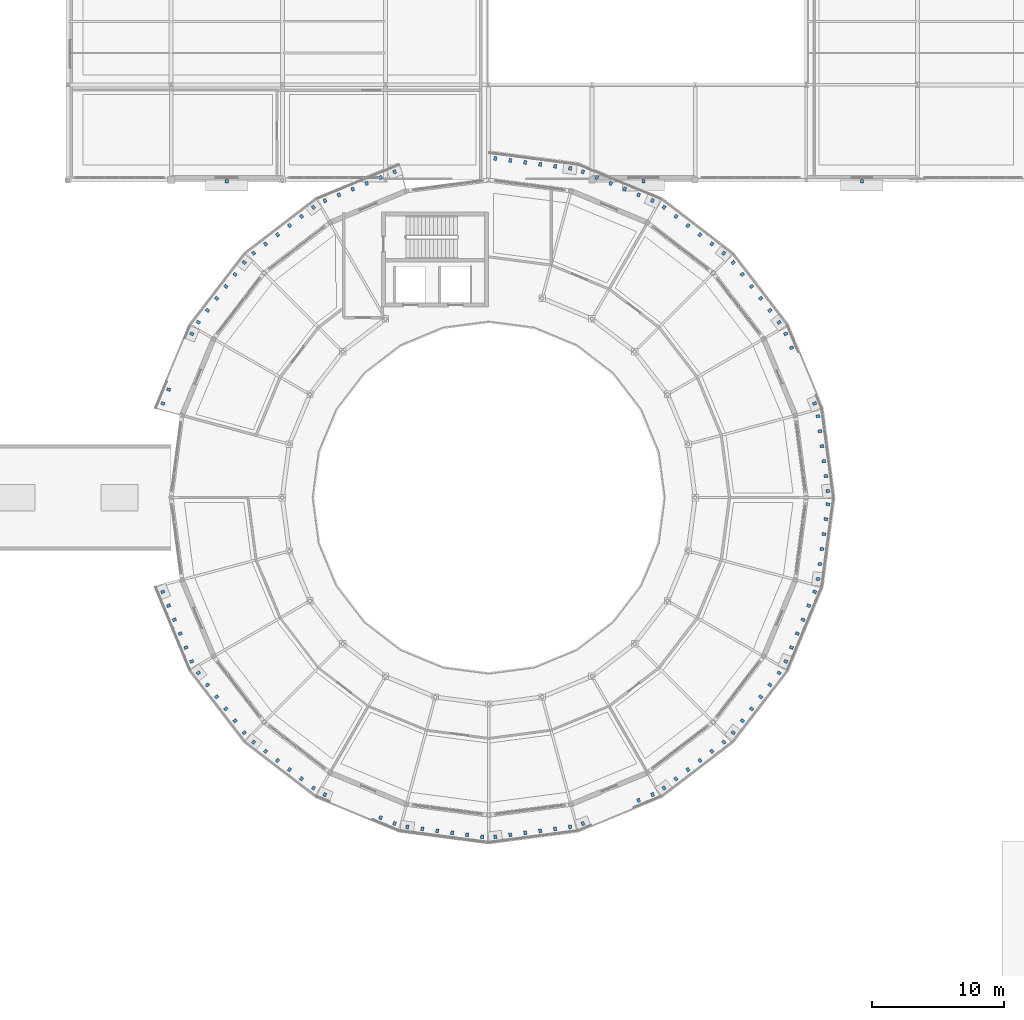
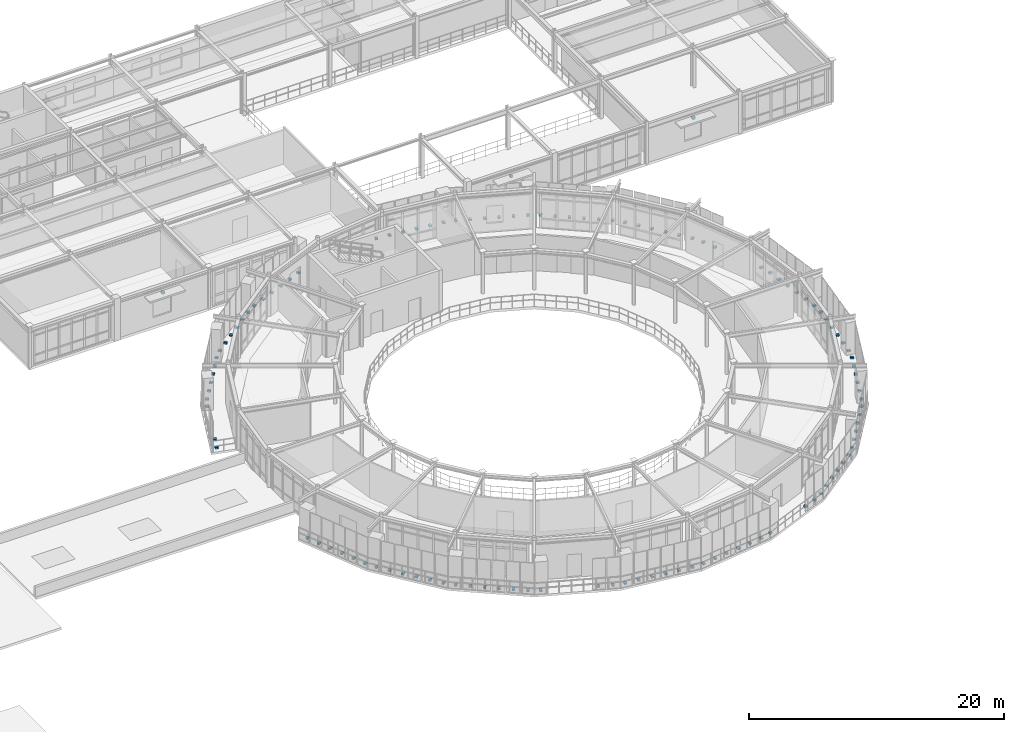
# One storey, part 61 of 70: 117 discrete accessories.
"""IFC4 building model written with IfcOpenShell, lengths in metres."""

from ifc_helpers import new_model, si_unit, derived_unit, direction, frame, origin, origin_2d, place, context, subcontext, project, spatial, rectangle, extrude, material, type_object, element, save


model = new_model("IFC4")

# Units and contexts
model_context = context("Model", 3, precision=1e-05, world=origin(), true_north=direction((0.0, 1.0)))
body_context = subcontext(model_context, "Body", "Model", "MODEL_VIEW")
ifc_project = project(units=[si_unit("LENGTHUNIT", "METRE"), si_unit("AREAUNIT", "SQUARE_METRE"), si_unit("VOLUMEUNIT", "CUBIC_METRE"), si_unit("PLANEANGLEUNIT", "RADIAN"), si_unit("MASSUNIT", "GRAM", prefix="KILO"), derived_unit("THERMALTRANSMITTANCEUNIT", [(si_unit("POWERUNIT", "WATT"), 1), (si_unit("AREAUNIT", "SQUARE_METRE"), -1), (si_unit("THERMODYNAMICTEMPERATUREUNIT", "KELVIN"), -1)])], contexts=[model_context])

# Site, building, storey
site_placement = place(None, origin())
site = spatial("IfcSite", under=ifc_project, at=site_placement, CompositionType="ELEMENT")
building_placement = place(site_placement, origin())
building = spatial("IfcBuilding", under=site, at=building_placement, Name="Yasenodar Specialist Clinic", CompositionType="ELEMENT")
storey_placement = place(building_placement, frame((0.0, 0.0, 13.199951171875)))
storey = spatial("IfcBuildingStorey", under=building, at=storey_placement, Name="L03", CompositionType="ELEMENT", Elevation=13.199951171875)

# Discrete accessories
ifc_material = material(Name="Steel S355", Category="steel")
discrete_accessory_type_1 = type_object("IfcDiscreteAccessoryType", Name="ACC-BRK-CHJ", PredefinedType="BRACKET", material=ifc_material)
for number, where, z_axis, x_axis, name in (
    (1, (109.199951171875, 82.719970703125, 2.828125), (0.0, 0.0, 1.0), (-1.0, 0.0, 0.0), "L03 Sunshade Fixing Bracket 0455"),
    (2, (92.699951171875, 82.719970703125, 3.0380859375), (0.0, 0.0, 1.0), (-1.0, 0.0, 0.0), "L03 Sunshade Fixing Bracket 0456"),
    (3, (61.199951171875, 82.719970703125, 2.92822265625), (0.0, 0.0, 1.0), (-1.0, 0.0, 0.0), "L03 Sunshade Fixing Bracket 0457"),
):
    element("IfcDiscreteAccessory", number, at=place(storey_placement, frame(where, z_axis=z_axis, x_axis=x_axis)), inside=storey, type_object=discrete_accessory_type_1, Name=name, PredefinedType="BRACKET", context=body_context, shape_type="SweptSolid", body=[
        extrude(rectangle(XDim=0.239990234375, YDim=0.260009765625, at=origin_2d()), origin(), (0.0, 0.0, 1.0), 0.199951171875),
    ])
discrete_accessory_type_2 = type_object("IfcDiscreteAccessoryType", Name="ACC-BRK-STEEL", PredefinedType="BRACKET", material=ifc_material)
for number, where, z_axis, x_axis, name in (
    (4, (106.6298828125, 59.2998046875, -0.02001953125), (0.0, 0.0, 1.0), (-0.130519185854, 0.991445783754, 0.0), "L03 Jali Shutter Base Guide Bracket 0217"),
    (5, (106.481201171875, 60.429931640625, -0.02001953125), (0.0, 0.0, 1.0), (-0.130519185854, 0.991445783754, 0.0), "L03 Jali Shutter Base Guide Bracket 0218"),
    (6, (106.332275390625, 61.560302734375, -0.02001953125), (0.0, 0.0, 1.0), (-0.130519185854, 0.991445783754, 0.0), "L03 Jali Shutter Base Guide Bracket 0219"),
    (7, (106.18359375, 62.6904296875, -0.02001953125), (0.0, 0.0, 1.0), (-0.130519185854, 0.991445783754, 0.0), "L03 Jali Shutter Base Guide Bracket 0220"),
    (8, (106.034912109375, 63.820556640625, -0.02001953125), (0.0, 0.0, 1.0), (-0.130519185854, 0.991445783754, 0.0), "L03 Jali Shutter Base Guide Bracket 0221"),
    (9, (105.885986328125, 64.95068359375, -0.02001953125), (0.0, 0.0, 1.0), (-0.130519185854, 0.991445783754, 0.0), "L03 Jali Shutter Base Guide Bracket 0222"),
    (10, (105.627197265625, 65.916259765625, -0.02001953125), (0.0, 0.0, 1.0), (-0.382686667195, 0.923878192594, 0.0), "L03 Jali Shutter Base Guide Bracket 0223"),
    (11, (103.88232421875, 70.12890625, -0.02001953125), (0.0, 0.0, 1.0), (-0.382686667195, 0.923878192594, 0.0), "L03 Jali Shutter Base Guide Bracket 0224"),
    (12, (103.446044921875, 71.18212890625, -0.02001953125), (0.0, 0.0, 1.0), (-0.382686667195, 0.923878192594, 0.0), "L03 Jali Shutter Base Guide Bracket 0225"),
    (13, (102.9462890625, 72.0478515625, -0.02001953125), (0.0, 0.0, 1.0), (-0.608764217148, 0.793351200869, 0.0), "L03 Jali Shutter Base Guide Bracket 0226"),
    (14, (102.252197265625, 72.9521484375, -0.02001953125), (0.0, 0.0, 1.0), (-0.608764217148, 0.793351200869, 0.0), "L03 Jali Shutter Base Guide Bracket 0227"),
    (15, (101.558349609375, 73.8564453125, -0.02001953125), (0.0, 0.0, 1.0), (-0.608764217148, 0.793351200869, 0.0), "L03 Jali Shutter Base Guide Bracket 0228"),
    (16, (100.864501953125, 74.760986328125, -0.02001953125), (0.0, 0.0, 1.0), (-0.608764217148, 0.793351200869, 0.0), "L03 Jali Shutter Base Guide Bracket 0229"),
    (17, (100.17041015625, 75.665283203125, -0.02001953125), (0.0, 0.0, 1.0), (-0.608764217148, 0.793351200869, 0.0), "L03 Jali Shutter Base Guide Bracket 0230"),
    (18, (99.4765625, 76.569580078125, -0.02001953125), (0.0, 0.0, 1.0), (-0.608764217148, 0.793351200869, 0.0), "L03 Jali Shutter Base Guide Bracket 0231"),
    (19, (98.76953125, 77.276611328125, -0.02001953125), (0.0, 0.0, 1.0), (-0.793351200869, 0.608764217148, 0.0), "L03 Jali Shutter Base Guide Bracket 0232"),
    (20, (97.865234375, 77.970458984375, -0.02001953125), (0.0, 0.0, 1.0), (-0.793351200869, 0.608764217148, 0.0), "L03 Jali Shutter Base Guide Bracket 0233"),
    (21, (96.9609375, 78.664306640625, -0.02001953125), (0.0, 0.0, 1.0), (-0.793351200869, 0.608764217148, 0.0), "L03 Jali Shutter Base Guide Bracket 0234"),
    (22, (96.056396484375, 79.3583984375, -0.02001953125), (0.0, 0.0, 1.0), (-0.793351200869, 0.608764217148, 0.0), "L03 Jali Shutter Base Guide Bracket 0235"),
    (23, (95.152099609375, 80.05224609375, -0.02001953125), (0.0, 0.0, 1.0), (-0.793351200869, 0.608764217148, 0.0), "L03 Jali Shutter Base Guide Bracket 0236"),
    (24, (94.247802734375, 80.74609375, -0.02001953125), (0.0, 0.0, 1.0), (-0.793351200869, 0.608764217148, 0.0), "L03 Jali Shutter Base Guide Bracket 0237"),
    (25, (93.382080078125, 81.24609375, -0.02001953125), (0.0, 0.0, 1.0), (-0.923878192594, 0.382686667195, 0.0), "L03 Jali Shutter Base Guide Bracket 0238"),
    (26, (92.328857421875, 81.682373046875, -0.02001953125), (0.0, 0.0, 1.0), (-0.923878192594, 0.382686667195, 0.0), "L03 Jali Shutter Base Guide Bracket 0239"),
    (27, (91.27587890625, 82.118408203125, -0.02001953125), (0.0, 0.0, 1.0), (-0.923878192594, 0.382686667195, 0.0), "L03 Jali Shutter Base Guide Bracket 0240"),
    (28, (90.22265625, 82.5546875, -0.02001953125), (0.0, 0.0, 1.0), (-0.923878192594, 0.382686667195, 0.0), "L03 Jali Shutter Base Guide Bracket 0241"),
    (29, (89.16943359375, 82.990966796875, -0.02001953125), (0.0, 0.0, 1.0), (-0.923878192594, 0.382686667195, 0.0), "L03 Jali Shutter Base Guide Bracket 0242"),
    (30, (88.1162109375, 83.42724609375, -0.02001953125), (0.0, 0.0, 1.0), (-0.923878192594, 0.382686667195, 0.0), "L03 Jali Shutter Base Guide Bracket 0243"),
    (31, (87.150634765625, 83.68603515625, -0.02001953125), (0.0, 0.0, 1.0), (-0.991445783754, 0.130519185854, 0.0), "L03 Jali Shutter Base Guide Bracket 0244"),
    (32, (86.0205078125, 83.834716796875, -0.02001953125), (0.0, 0.0, 1.0), (-0.991445783754, 0.130519185854, 0.0), "L03 Jali Shutter Base Guide Bracket 0245"),
    (33, (84.890380859375, 83.9833984375, -0.02001953125), (0.0, 0.0, 1.0), (-0.991445783754, 0.130519185854, 0.0), "L03 Jali Shutter Base Guide Bracket 0246"),
    (34, (83.76025390625, 84.13232421875, -0.02001953125), (0.0, 0.0, 1.0), (-0.991445783754, 0.130519185854, 0.0), "L03 Jali Shutter Base Guide Bracket 0247"),
    (35, (82.6298828125, 84.281005859375, -0.02001953125), (0.0, 0.0, 1.0), (-0.991445783754, 0.130519185854, 0.0), "L03 Jali Shutter Base Guide Bracket 0248"),
    (36, (81.499755859375, 84.429931640625, -0.02001953125), (0.0, 0.0, 1.0), (-0.991445783754, 0.130519185854, 0.0), "L03 Jali Shutter Base Guide Bracket 0249"),
    (37, (73.8837890625, 83.42724609375, -0.02001953125), (0.0, 0.0, 1.0), (-0.923878192594, -0.382686667195, 0.0), "L03 Jali Shutter Base Guide Bracket 0250"),
    (38, (72.83056640625, 82.990966796875, -0.02001953125), (0.0, 0.0, 1.0), (-0.923878192594, -0.382686667195, 0.0), "L03 Jali Shutter Base Guide Bracket 0251"),
    (39, (71.77734375, 82.5546875, -0.02001953125), (0.0, 0.0, 1.0), (-0.923878192594, -0.382686667195, 0.0), "L03 Jali Shutter Base Guide Bracket 0252"),
    (40, (70.72412109375, 82.118408203125, -0.02001953125), (0.0, 0.0, 1.0), (-0.923878192594, -0.382686667195, 0.0), "L03 Jali Shutter Base Guide Bracket 0253"),
    (41, (69.671142578125, 81.682373046875, -0.02001953125), (0.0, 0.0, 1.0), (-0.923878192594, -0.382686667195, 0.0), "L03 Jali Shutter Base Guide Bracket 0254"),
    (42, (68.617919921875, 81.24609375, -0.02001953125), (0.0, 0.0, 1.0), (-0.923878192594, -0.382686667195, 0.0), "L03 Jali Shutter Base Guide Bracket 0255"),
    (43, (67.752197265625, 80.74609375, -0.02001953125), (0.0, 0.0, 1.0), (-0.793351200869, -0.608764217148, 0.0), "L03 Jali Shutter Base Guide Bracket 0256"),
    (44, (66.847900390625, 80.05224609375, -0.02001953125), (0.0, 0.0, 1.0), (-0.793351200869, -0.608764217148, 0.0), "L03 Jali Shutter Base Guide Bracket 0257"),
    (45, (65.943603515625, 79.3583984375, -0.02001953125), (0.0, 0.0, 1.0), (-0.793351200869, -0.608764217148, 0.0), "L03 Jali Shutter Base Guide Bracket 0258"),
    (46, (65.0390625, 78.664306640625, -0.02001953125), (0.0, 0.0, 1.0), (-0.793351200869, -0.608764217148, 0.0), "L03 Jali Shutter Base Guide Bracket 0259"),
    (47, (64.134765625, 77.970458984375, -0.02001953125), (0.0, 0.0, 1.0), (-0.793351200869, -0.608764217148, 0.0), "L03 Jali Shutter Base Guide Bracket 0260"),
    (48, (63.23046875, 77.276611328125, -0.02001953125), (0.0, 0.0, 1.0), (-0.793351200869, -0.608764217148, 0.0), "L03 Jali Shutter Base Guide Bracket 0261"),
    (49, (62.5234375, 76.569580078125, -0.02001953125), (0.0, 0.0, 1.0), (-0.608764217148, -0.793351200869, 0.0), "L03 Jali Shutter Base Guide Bracket 0262"),
    (50, (61.82958984375, 75.665283203125, -0.02001953125), (0.0, 0.0, 1.0), (-0.608764217148, -0.793351200869, 0.0), "L03 Jali Shutter Base Guide Bracket 0263"),
    (51, (61.135498046875, 74.760986328125, -0.02001953125), (0.0, 0.0, 1.0), (-0.608764217148, -0.793351200869, 0.0), "L03 Jali Shutter Base Guide Bracket 0264"),
    (52, (60.441650390625, 73.8564453125, -0.02001953125), (0.0, 0.0, 1.0), (-0.608764217148, -0.793351200869, 0.0), "L03 Jali Shutter Base Guide Bracket 0265"),
    (53, (59.747802734375, 72.9521484375, -0.02001953125), (0.0, 0.0, 1.0), (-0.608764217148, -0.793351200869, 0.0), "L03 Jali Shutter Base Guide Bracket 0266"),
    (54, (59.0537109375, 72.0478515625, -0.02001953125), (0.0, 0.0, 1.0), (-0.608764217148, -0.793351200869, 0.0), "L03 Jali Shutter Base Guide Bracket 0267"),
    (55, (58.553955078125, 71.18212890625, -0.02001953125), (0.0, 0.0, 1.0), (-0.382686667195, -0.923878192594, 0.0), "L03 Jali Shutter Base Guide Bracket 0268"),
    (56, (56.80908203125, 66.969482421875, -0.02001953125), (0.0, 0.0, 1.0), (-0.382686667195, -0.923878192594, 0.0), "L03 Jali Shutter Base Guide Bracket 0269"),
    (57, (56.372802734375, 65.916259765625, -0.02001953125), (0.0, 0.0, 1.0), (-0.382686667195, -0.923878192594, 0.0), "L03 Jali Shutter Base Guide Bracket 0270"),
    (58, (56.372802734375, 51.68359375, -0.02001953125), (0.0, 0.0, 1.0), (0.382686667195, -0.923878192594, 0.0), "L03 Jali Shutter Base Guide Bracket 0271"),
    (59, (56.80908203125, 50.630615234375, -0.02001953125), (0.0, 0.0, 1.0), (0.382686667195, -0.923878192594, 0.0), "L03 Jali Shutter Base Guide Bracket 0272"),
    (60, (57.2451171875, 49.577392578125, -0.02001953125), (0.0, 0.0, 1.0), (0.382686667195, -0.923878192594, 0.0), "L03 Jali Shutter Base Guide Bracket 0273"),
    (61, (57.681396484375, 48.524169921875, -0.02001953125), (0.0, 0.0, 1.0), (0.382686667195, -0.923878192594, 0.0), "L03 Jali Shutter Base Guide Bracket 0274"),
    (62, (58.11767578125, 47.47119140625, -0.02001953125), (0.0, 0.0, 1.0), (0.382686667195, -0.923878192594, 0.0), "L03 Jali Shutter Base Guide Bracket 0275"),
    (63, (58.553955078125, 46.41796875, -0.02001953125), (0.0, 0.0, 1.0), (0.382686667195, -0.923878192594, 0.0), "L03 Jali Shutter Base Guide Bracket 0276"),
    (64, (59.0537109375, 45.55224609375, -0.02001953125), (0.0, 0.0, 1.0), (0.608764217148, -0.793351200869, 0.0), "L03 Jali Shutter Base Guide Bracket 0277"),
    (65, (59.747802734375, 44.647705078125, -0.02001953125), (0.0, 0.0, 1.0), (0.608764217148, -0.793351200869, 0.0), "L03 Jali Shutter Base Guide Bracket 0278"),
    (66, (60.441650390625, 43.743408203125, -0.02001953125), (0.0, 0.0, 1.0), (0.608764217148, -0.793351200869, 0.0), "L03 Jali Shutter Base Guide Bracket 0279"),
    (67, (61.135498046875, 42.839111328125, -0.02001953125), (0.0, 0.0, 1.0), (0.608764217148, -0.793351200869, 0.0), "L03 Jali Shutter Base Guide Bracket 0280"),
    (68, (61.82958984375, 41.934814453125, -0.02001953125), (0.0, 0.0, 1.0), (0.608764217148, -0.793351200869, 0.0), "L03 Jali Shutter Base Guide Bracket 0281"),
    (69, (62.5234375, 41.030517578125, -0.02001953125), (0.0, 0.0, 1.0), (0.608764217148, -0.793351200869, 0.0), "L03 Jali Shutter Base Guide Bracket 0282"),
    (70, (63.23046875, 40.323486328125, -0.02001953125), (0.0, 0.0, 1.0), (0.793351200869, -0.608764217148, 0.0), "L03 Jali Shutter Base Guide Bracket 0283"),
    (71, (64.134765625, 39.629638671875, -0.02001953125), (0.0, 0.0, 1.0), (0.793351200869, -0.608764217148, 0.0), "L03 Jali Shutter Base Guide Bracket 0284"),
    (72, (65.0390625, 38.935546875, -0.02001953125), (0.0, 0.0, 1.0), (0.793351200869, -0.608764217148, 0.0), "L03 Jali Shutter Base Guide Bracket 0285"),
    (73, (65.943603515625, 38.24169921875, -0.02001953125), (0.0, 0.0, 1.0), (0.793351200869, -0.608764217148, 0.0), "L03 Jali Shutter Base Guide Bracket 0286"),
    (74, (66.847900390625, 37.547607421875, -0.02001953125), (0.0, 0.0, 1.0), (0.793351200869, -0.608764217148, 0.0), "L03 Jali Shutter Base Guide Bracket 0287"),
    (75, (67.752197265625, 36.853759765625, -0.02001953125), (0.0, 0.0, 1.0), (0.793351200869, -0.608764217148, 0.0), "L03 Jali Shutter Base Guide Bracket 0288"),
    (76, (68.617919921875, 36.35400390625, -0.02001953125), (0.0, 0.0, 1.0), (0.923878192594, -0.382686667195, 0.0), "L03 Jali Shutter Base Guide Bracket 0289"),
    (77, (72.83056640625, 34.60888671875, -0.02001953125), (0.0, 0.0, 1.0), (0.923878192594, -0.382686667195, 0.0), "L03 Jali Shutter Base Guide Bracket 0290"),
    (78, (73.8837890625, 34.1728515625, -0.02001953125), (0.0, 0.0, 1.0), (0.923878192594, -0.382686667195, 0.0), "L03 Jali Shutter Base Guide Bracket 0291"),
    (79, (74.849365234375, 33.9140625, -0.02001953125), (0.0, 0.0, 1.0), (0.991445783754, -0.130519185854, 0.0), "L03 Jali Shutter Base Guide Bracket 0292"),
    (80, (75.9794921875, 33.76513671875, -0.02001953125), (0.0, 0.0, 1.0), (0.991445783754, -0.130519185854, 0.0), "L03 Jali Shutter Base Guide Bracket 0293"),
    (81, (77.109619140625, 33.616455078125, -0.02001953125), (0.0, 0.0, 1.0), (0.991445783754, -0.130519185854, 0.0), "L03 Jali Shutter Base Guide Bracket 0294"),
    (82, (78.23974609375, 33.4677734375, -0.02001953125), (0.0, 0.0, 1.0), (0.991445783754, -0.130519185854, 0.0), "L03 Jali Shutter Base Guide Bracket 0295"),
    (83, (79.3701171875, 33.31884765625, -0.02001953125), (0.0, 0.0, 1.0), (0.991445783754, -0.130519185854, 0.0), "L03 Jali Shutter Base Guide Bracket 0296"),
    (84, (80.500244140625, 33.170166015625, -0.02001953125), (0.0, 0.0, 1.0), (0.991445783754, -0.130519185854, 0.0), "L03 Jali Shutter Base Guide Bracket 0297"),
    (85, (81.499755859375, 33.170166015625, -0.02001953125), (0.0, 0.0, 1.0), (0.991445783754, 0.130519185854, 0.0), "L03 Jali Shutter Base Guide Bracket 0298"),
    (86, (82.6298828125, 33.31884765625, -0.02001953125), (0.0, 0.0, 1.0), (0.991445783754, 0.130519185854, 0.0), "L03 Jali Shutter Base Guide Bracket 0299"),
    (87, (83.76025390625, 33.4677734375, -0.02001953125), (0.0, 0.0, 1.0), (0.991445783754, 0.130519185854, 0.0), "L03 Jali Shutter Base Guide Bracket 0300"),
    (88, (84.890380859375, 33.616455078125, -0.02001953125), (0.0, 0.0, 1.0), (0.991445783754, 0.130519185854, 0.0), "L03 Jali Shutter Base Guide Bracket 0301"),
    (89, (86.0205078125, 33.76513671875, -0.02001953125), (0.0, 0.0, 1.0), (0.991445783754, 0.130519185854, 0.0), "L03 Jali Shutter Base Guide Bracket 0302"),
    (90, (87.150634765625, 33.9140625, -0.02001953125), (0.0, 0.0, 1.0), (0.991445783754, 0.130519185854, 0.0), "L03 Jali Shutter Base Guide Bracket 0303"),
    (91, (88.1162109375, 34.1728515625, -0.02001953125), (0.0, 0.0, 1.0), (0.923878192594, 0.382686667195, 0.0), "L03 Jali Shutter Base Guide Bracket 0304"),
    (92, (92.328857421875, 35.917724609375, -0.02001953125), (0.0, 0.0, 1.0), (0.923878192594, 0.382686667195, 0.0), "L03 Jali Shutter Base Guide Bracket 0305"),
    (93, (93.382080078125, 36.35400390625, -0.02001953125), (0.0, 0.0, 1.0), (0.923878192594, 0.382686667195, 0.0), "L03 Jali Shutter Base Guide Bracket 0306"),
    (94, (94.247802734375, 36.853759765625, -0.02001953125), (0.0, 0.0, 1.0), (0.793351200869, 0.608764217148, 0.0), "L03 Jali Shutter Base Guide Bracket 0307"),
    (95, (95.152099609375, 37.547607421875, -0.02001953125), (0.0, 0.0, 1.0), (0.793351200869, 0.608764217148, 0.0), "L03 Jali Shutter Base Guide Bracket 0308"),
    (96, (96.056396484375, 38.24169921875, -0.02001953125), (0.0, 0.0, 1.0), (0.793351200869, 0.608764217148, 0.0), "L03 Jali Shutter Base Guide Bracket 0309"),
    (97, (96.9609375, 38.935546875, -0.02001953125), (0.0, 0.0, 1.0), (0.793351200869, 0.608764217148, 0.0), "L03 Jali Shutter Base Guide Bracket 0310"),
    (98, (97.865234375, 39.629638671875, -0.02001953125), (0.0, 0.0, 1.0), (0.793351200869, 0.608764217148, 0.0), "L03 Jali Shutter Base Guide Bracket 0311"),
    (99, (98.76953125, 40.323486328125, -0.02001953125), (0.0, 0.0, 1.0), (0.793351200869, 0.608764217148, 0.0), "L03 Jali Shutter Base Guide Bracket 0312"),
    (100, (99.4765625, 41.030517578125, -0.02001953125), (0.0, 0.0, 1.0), (0.608764217148, 0.793351200869, 0.0), "L03 Jali Shutter Base Guide Bracket 0313"),
    (101, (100.17041015625, 41.934814453125, -0.02001953125), (0.0, 0.0, 1.0), (0.608764217148, 0.793351200869, 0.0), "L03 Jali Shutter Base Guide Bracket 0314"),
    (102, (100.864501953125, 42.839111328125, -0.02001953125), (0.0, 0.0, 1.0), (0.608764217148, 0.793351200869, 0.0), "L03 Jali Shutter Base Guide Bracket 0315"),
    (103, (101.558349609375, 43.743408203125, -0.02001953125), (0.0, 0.0, 1.0), (0.608764217148, 0.793351200869, 0.0), "L03 Jali Shutter Base Guide Bracket 0316"),
    (104, (102.252197265625, 44.647705078125, -0.02001953125), (0.0, 0.0, 1.0), (0.608764217148, 0.793351200869, 0.0), "L03 Jali Shutter Base Guide Bracket 0317"),
    (105, (102.9462890625, 45.55224609375, -0.02001953125), (0.0, 0.0, 1.0), (0.608764217148, 0.793351200869, 0.0), "L03 Jali Shutter Base Guide Bracket 0318"),
    (106, (103.446044921875, 46.41796875, -0.02001953125), (0.0, 0.0, 1.0), (0.382686667195, 0.923878192594, 0.0), "L03 Jali Shutter Base Guide Bracket 0319"),
    (107, (103.88232421875, 47.47119140625, -0.02001953125), (0.0, 0.0, 1.0), (0.382686667195, 0.923878192594, 0.0), "L03 Jali Shutter Base Guide Bracket 0320"),
    (108, (104.318603515625, 48.524169921875, -0.02001953125), (0.0, 0.0, 1.0), (0.382686667195, 0.923878192594, 0.0), "L03 Jali Shutter Base Guide Bracket 0321"),
    (109, (104.7548828125, 49.577392578125, -0.02001953125), (0.0, 0.0, 1.0), (0.382686667195, 0.923878192594, 0.0), "L03 Jali Shutter Base Guide Bracket 0322"),
    (110, (105.19091796875, 50.630615234375, -0.02001953125), (0.0, 0.0, 1.0), (0.382686667195, 0.923878192594, 0.0), "L03 Jali Shutter Base Guide Bracket 0323"),
    (111, (105.627197265625, 51.68359375, -0.02001953125), (0.0, 0.0, 1.0), (0.382686667195, 0.923878192594, 0.0), "L03 Jali Shutter Base Guide Bracket 0324"),
    (112, (105.885986328125, 52.6494140625, -0.02001953125), (0.0, 0.0, 1.0), (0.130519185854, 0.991445783754, 0.0), "L03 Jali Shutter Base Guide Bracket 0325"),
    (113, (106.034912109375, 53.779296875, -0.02001953125), (0.0, 0.0, 1.0), (0.130519185854, 0.991445783754, 0.0), "L03 Jali Shutter Base Guide Bracket 0326"),
    (114, (106.18359375, 54.90966796875, -0.02001953125), (0.0, 0.0, 1.0), (0.130519185854, 0.991445783754, 0.0), "L03 Jali Shutter Base Guide Bracket 0327"),
    (115, (106.332275390625, 56.039794921875, -0.02001953125), (0.0, 0.0, 1.0), (0.130519185854, 0.991445783754, 0.0), "L03 Jali Shutter Base Guide Bracket 0328"),
    (116, (106.481201171875, 57.169921875, -0.02001953125), (0.0, 0.0, 1.0), (0.130519185854, 0.991445783754, 0.0), "L03 Jali Shutter Base Guide Bracket 0329"),
    (117, (106.6298828125, 58.30029296875, -0.02001953125), (0.0, 0.0, 1.0), (0.130519185854, 0.991445783754, 0.0), "L03 Jali Shutter Base Guide Bracket 0330"),
):
    element("IfcDiscreteAccessory", number, at=place(storey_placement, frame(where, z_axis=z_axis, x_axis=x_axis)), inside=storey, type_object=discrete_accessory_type_2, Name=name, PredefinedType="BRACKET", context=body_context, shape_type="SweptSolid", body=[
        extrude(rectangle(XDim=0.219970703125, YDim=0.280029296875, at=origin_2d()), origin(), (0.0, 0.0, 1.0), 0.159912109375),
    ])

save(model, "model.ifc")
